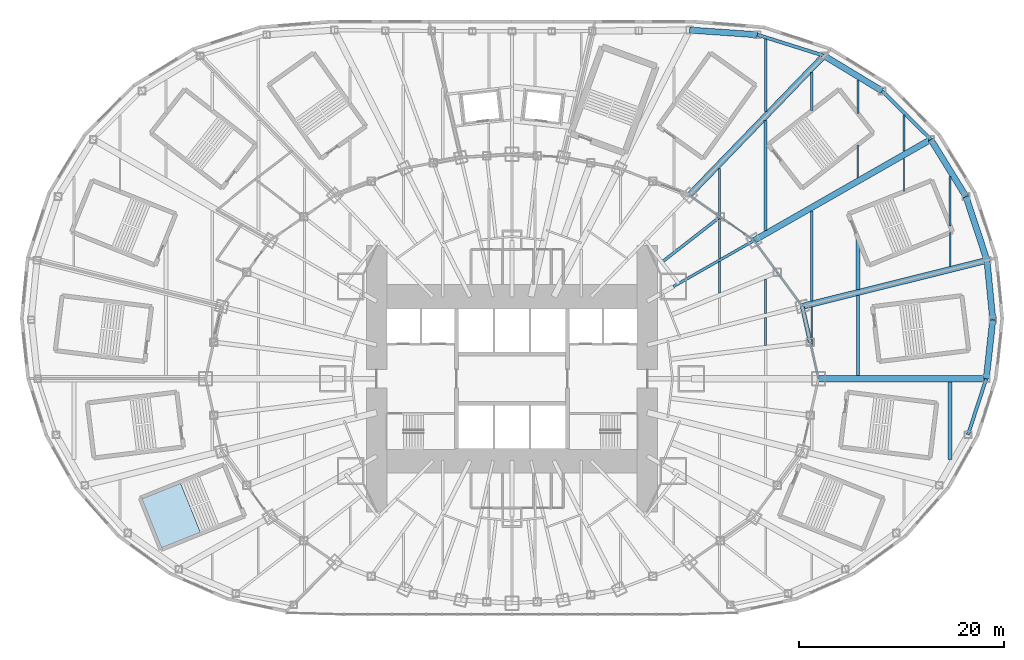
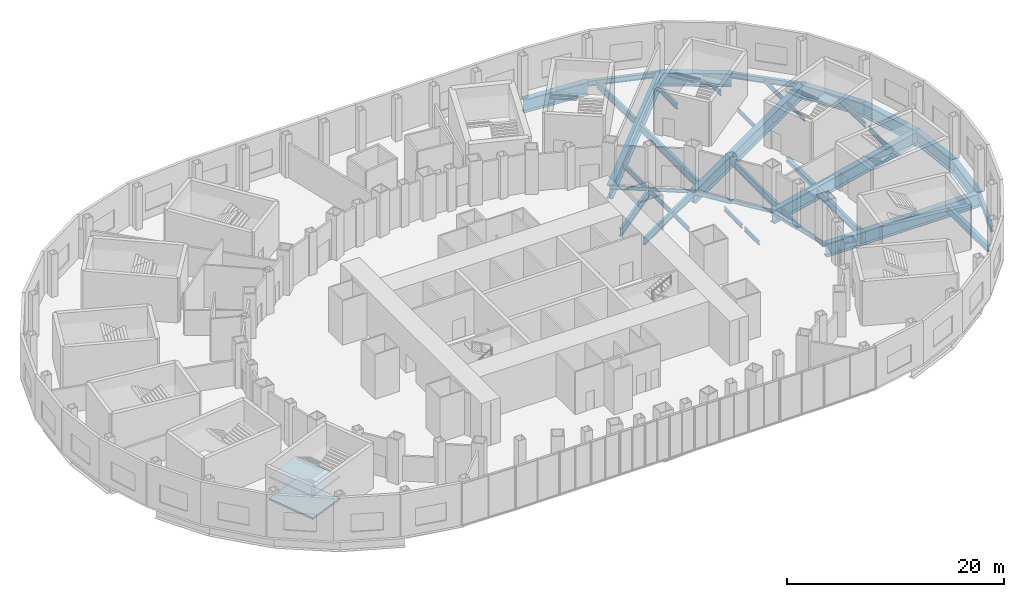
# One storey, part 10 of 73: 40 beams, 2 slabs, 1 element without a shape of its own.
"""IFC4 building model written with IfcOpenShell, lengths in metres."""

from ifc_helpers import new_model, si_unit, direction, frame, origin, origin_2d, place, context, subcontext, project, spatial, polyline, i_section, outline, extrude, material, layer, layer_set, material_profile, profile_set, type_object, element, aggregate, save


model = new_model("IFC4")

# Units and contexts
model_context = context("Model", 3, precision=1e-05, world=origin(), true_north=direction((0.0, 1.0)))
body_context = subcontext(model_context, "Body", "Model", "MODEL_VIEW")
ifc_project = project(units=[si_unit("LENGTHUNIT", "METRE"), si_unit("AREAUNIT", "SQUARE_METRE"), si_unit("VOLUMEUNIT", "CUBIC_METRE"), si_unit("PLANEANGLEUNIT", "RADIAN"), si_unit("MASSUNIT", "GRAM", prefix="KILO")], contexts=[model_context])

# Site, building, storey
site_placement = place(None, origin())
site = spatial("IfcSite", under=ifc_project, at=site_placement, CompositionType="ELEMENT")
building_placement = place(site_placement, origin())
building = spatial("IfcBuilding", under=site, at=building_placement, Name="Lantaw Convention Tower", CompositionType="ELEMENT")
storey_placement = place(building_placement, frame((0.0, 0.0, 27.0)))
storey = spatial("IfcBuildingStorey", under=building, at=storey_placement, Name="L04", CompositionType="ELEMENT", Elevation=27.0)

# Beams
ifc_material_1 = material(Name="Steel ASTM A572 Grade 50", Category="steel")
ifc_material_profile_1 = material_profile(ifc_material_1, i_section(OverallWidth=0.60009765625, OverallDepth=1.5, WebThickness=0.02490234375, FlangeThickness=0.06005859375, at=origin_2d()), Name="PG1500X600X25X60")
ifc_profile_set_1 = profile_set([ifc_material_profile_1], Name="Steel ASTM A572 Grade 50")
beam_type_1 = type_object("IfcBeamType", Name="Beam E PG1500X600X25X60", PredefinedType="SPANDREL", material=ifc_profile_set_1)
beam_1_placement = place(storey_placement, frame((46.2724609375, 0.0, -0.949951171875), z_axis=(0.109673093737, 0.993967712006, 0.0), x_axis=(-0.993967712006, 0.109673093737, 0.0)))
element("IfcBeam", 1, at=beam_1_placement, inside=storey, type_object=beam_type_1, Name="Podium edge beam R00", PredefinedType="SPANDREL", context=body_context, shape_type="SweptSolid", body=[
    extrude(i_section(OverallWidth=0.60009765625, OverallDepth=1.5, WebThickness=0.02490234375, FlangeThickness=0.06005859375, at=origin_2d()), origin(), (0.0, 0.0, 1.0), 5.79443359375),
])
beam_2_placement = place(storey_placement, frame((46.907958984375, 5.759521484375, -0.949951171875), z_axis=(-0.097112121047, 0.995273447825, 0.0), x_axis=(-0.995273447825, -0.097112121047, 0.0)))
element("IfcBeam", 2, at=beam_2_placement, inside=storey, type_object=beam_type_1, Name="Podium edge beam B00", PredefinedType="SPANDREL", context=body_context, shape_type="SweptSolid", body=[
    extrude(i_section(OverallWidth=0.60009765625, OverallDepth=1.5, WebThickness=0.02490234375, FlangeThickness=0.06005859375, at=origin_2d()), origin(), (0.0, 0.0, 1.0), 5.822509765625),
])
beam_3_placement = place(storey_placement, frame((46.342529296875, 11.554443359375, -0.949951171875), z_axis=(-0.312739573604, 0.949838912186, 0.0), x_axis=(-0.949838912186, -0.312739573604, 0.0)))
element("IfcBeam", 3, at=beam_3_placement, inside=storey, type_object=beam_type_1, Name="Podium edge beam R01", PredefinedType="SPANDREL", context=body_context, shape_type="SweptSolid", body=[
    extrude(i_section(OverallWidth=0.60009765625, OverallDepth=1.5, WebThickness=0.02490234375, FlangeThickness=0.06005859375, at=origin_2d()), origin(), (0.0, 0.0, 1.0), 6.55517578125),
])
beam_4_placement = place(storey_placement, frame((44.29248046875, 17.78076171875, -0.949951171875), z_axis=(-0.524178644867, 0.851608330317, 0.0), x_axis=(-0.851608330317, -0.524178644867, 0.0)))
element("IfcBeam", 4, at=beam_4_placement, inside=storey, type_object=beam_type_1, Name="Podium edge beam B01", PredefinedType="SPANDREL", context=body_context, shape_type="SweptSolid", body=[
    extrude(i_section(OverallWidth=0.60009765625, OverallDepth=1.5, WebThickness=0.02490234375, FlangeThickness=0.06005859375, at=origin_2d()), origin(), (0.0, 0.0, 1.0), 6.54052734375),
])
beam_5_placement = place(storey_placement, frame((36.107666015625, 28.081298828125, -0.949951171875), z_axis=(-0.855269526547, 0.518183400893, 0.0), x_axis=(-0.518183400893, -0.855269526547, 0.0)))
element("IfcBeam", 5, at=beam_5_placement, inside=storey, type_object=beam_type_1, Name="Podium edge beam B02", PredefinedType="SPANDREL", context=body_context, shape_type="SweptSolid", body=[
    extrude(i_section(OverallWidth=0.60009765625, OverallDepth=1.5, WebThickness=0.02490234375, FlangeThickness=0.06005859375, at=origin_2d()), origin(), (0.0, 0.0, 1.0), 6.63134765625),
])
beam_6_placement = place(storey_placement, frame((23.940185546875, 33.562744140625, -0.949951171875), z_axis=(-0.997615470709, 0.069017190627, 0.0), x_axis=(-0.069017190627, -0.997615470709, 0.0)))
element("IfcBeam", 6, at=beam_6_placement, inside=storey, type_object=beam_type_1, Name="Podium edge beam B03", PredefinedType="SPANDREL", context=body_context, shape_type="SweptSolid", body=[
    extrude(i_section(OverallWidth=0.60009765625, OverallDepth=1.5, WebThickness=0.02490234375, FlangeThickness=0.06005859375, at=origin_2d()), origin(), (0.0, 0.0, 1.0), 6.6220703125),
])
ifc_material_2 = material(Name="Steel ASTM A992", Category="steel")
ifc_material_profile_2 = material_profile(ifc_material_2, i_section(OverallWidth=0.40380859375, OverallDepth=0.406494140625, WebThickness=0.027099609375, FlangeThickness=0.043701171875, FilletRadius=0.01513671875, at=origin_2d()), Name="W14X233")
ifc_profile_set_2 = profile_set([ifc_material_profile_2], Name="Steel ASTM A992")
beam_type_2 = type_object("IfcBeamType", Name="Beam E W14X233", PredefinedType="SPANDREL", material=ifc_profile_set_2)
beam_7_placement = place(storey_placement, frame((29.099365234375, 3.572998046875, -0.4033203125), z_axis=(-0.218673326171, 0.97579812278, 0.0), x_axis=(-0.97579812278, -0.218673326171, 0.0)))
element("IfcBeam", 7, at=beam_7_placement, inside=storey, type_object=beam_type_2, Name="Edge beam 1", PredefinedType="SPANDREL", context=body_context, shape_type="SweptSolid", body=[
    extrude(i_section(OverallWidth=0.40380859375, OverallDepth=0.406494140625, WebThickness=0.027099609375, FlangeThickness=0.043701171875, FilletRadius=0.01513671875, at=origin_2d()), origin(), (0.0, 0.0, 1.0), 3.57373046875),
])
ifc_material_profile_3 = material_profile(ifc_material_2, i_section(OverallWidth=0.140380859375, OverallDepth=0.40380859375, WebThickness=0.007080078125, FlangeThickness=0.01123046875, FilletRadius=0.01025390625, at=origin_2d()), Name="W16X31")
ifc_profile_set_3 = profile_set([ifc_material_profile_3], Name="Steel ASTM A992")
beam_type_3 = type_object("IfcBeamType", Name="Beam E W16X31", PredefinedType="SPANDREL", material=ifc_profile_set_3)
beam_8_placement = place(storey_placement, frame((28.31787109375, 7.060302734375, -0.40185546875), z_axis=(-0.591255937291, 0.806483984105, 0.0), x_axis=(-0.806483984105, -0.591255937291, 0.0)))
element("IfcBeam", 8, at=beam_8_placement, inside=storey, type_object=beam_type_3, Name="Edge beam 2", PredefinedType="SPANDREL", context=body_context, shape_type="SweptSolid", body=[
    extrude(i_section(OverallWidth=0.140380859375, OverallDepth=0.40380859375, WebThickness=0.007080078125, FlangeThickness=0.01123046875, FilletRadius=0.01025390625, at=origin_2d()), origin(), (0.0, 0.0, 1.0), 4.126708984375),
])
beam_9_placement = place(storey_placement, frame((23.60498046875, 13.488525390625, -0.40185546875), z_axis=(-0.819442856133, 0.573160889744, 0.0), x_axis=(-0.573160889744, -0.819442856133, 0.0)))
element("IfcBeam", 9, at=beam_9_placement, inside=storey, type_object=beam_type_3, Name="Edge beam 3", PredefinedType="SPANDREL", context=body_context, shape_type="SweptSolid", body=[
    extrude(i_section(OverallWidth=0.140380859375, OverallDepth=0.40380859375, WebThickness=0.007080078125, FlangeThickness=0.01123046875, FilletRadius=0.01025390625, at=origin_2d()), origin(), (0.0, 0.0, 1.0), 4.022705078125),
])
beam_10_placement = place(storey_placement, frame((20.30859375, 15.794189453125, -0.40185546875), z_axis=(-0.819409395821, 0.573208724672, 0.0), x_axis=(-0.573208724672, -0.819409395821, 0.0)))
element("IfcBeam", 10, at=beam_10_placement, inside=storey, type_object=beam_type_3, Name="Edge beam 3", PredefinedType="SPANDREL", context=body_context, shape_type="SweptSolid", body=[
    extrude(i_section(OverallWidth=0.140380859375, OverallDepth=0.40380859375, WebThickness=0.007080078125, FlangeThickness=0.01123046875, FilletRadius=0.01025390625, at=origin_2d()), origin(), (0.0, 0.0, 1.0), 3.682861328125),
])
ifc_material_profile_4 = material_profile(ifc_material_2, i_section(OverallWidth=0.15234375, OverallDepth=0.449462890625, WebThickness=0.007568359375, FlangeThickness=0.0107421875, FilletRadius=0.01025390625, at=origin_2d()), Name="W18X35")
ifc_profile_set_4 = profile_set([ifc_material_profile_4], Name="Steel ASTM A992")
beam_type_4 = type_object("IfcBeamType", Name="Beam E W18X35", PredefinedType="SPANDREL", material=ifc_profile_set_4)
beam_11_placement = place(storey_placement, frame((29.89990234375, 0.0, -0.4248046875), z_axis=(-0.218631550323, 0.975807483679, 0.0), x_axis=(-0.975807483679, -0.218631550323, 0.0)))
element("IfcBeam", 11, at=beam_11_placement, inside=storey, type_object=beam_type_4, Name="Edge beam 1", PredefinedType="SPANDREL", context=body_context, shape_type="SweptSolid", body=[
    extrude(i_section(OverallWidth=0.15234375, OverallDepth=0.449462890625, WebThickness=0.007568359375, FlangeThickness=0.0107421875, FilletRadius=0.01025390625, at=origin_2d()), origin(), (0.0, 0.0, 1.0), 3.66162109375),
])
ifc_material_profile_5 = material_profile(ifc_material_2, i_section(OverallWidth=0.1650390625, OverallDepth=0.52587890625, WebThickness=0.0087890625, FlangeThickness=0.011474609375, FilletRadius=0.0126953125, at=origin_2d()), Name="W21X44")
ifc_profile_set_5 = profile_set([ifc_material_profile_5], Name="Steel ASTM A992")
beam_type_5 = type_object("IfcBeamType", Name="Beam E W21X44", PredefinedType="SPANDREL", material=ifc_profile_set_5)
beam_12_placement = place(storey_placement, frame((25.8779296875, 10.388427734375, -0.462890625), z_axis=(-0.591286566758, 0.806461527893, 0.0), x_axis=(-0.806461527893, -0.591286566758, 0.0)))
element("IfcBeam", 12, at=beam_12_placement, inside=storey, type_object=beam_type_5, Name="Edge beam 2", PredefinedType="SPANDREL", context=body_context, shape_type="SweptSolid", body=[
    extrude(i_section(OverallWidth=0.1650390625, OverallDepth=0.52587890625, WebThickness=0.0087890625, FlangeThickness=0.011474609375, FilletRadius=0.0126953125, at=origin_2d()), origin(), (0.0, 0.0, 1.0), 3.843994140625),
])
ifc_material_profile_6 = material_profile(ifc_material_2, i_section(OverallWidth=0.3251953125, OverallDepth=0.612060546875, WebThickness=0.0126953125, FlangeThickness=0.01904296875, FilletRadius=0.0126953125, at=origin_2d()), Name="W24X104")
ifc_profile_set_6 = profile_set([ifc_material_profile_6], Name="Steel ASTM A992")
beam_type_6 = type_object("IfcBeamType", Name="Beam E W24X104", PredefinedType="SPANDREL", material=ifc_profile_set_6)
beam_13_placement = place(storey_placement, frame((40.864013671875, 23.350830078125, -0.506103515625), z_axis=(-0.709033046271, 0.705175254314, 0.0), x_axis=(-0.705175254314, -0.709033046271, 0.0)))
element("IfcBeam", 13, at=beam_13_placement, inside=storey, type_object=beam_type_6, Name="Podium edge beam R02", PredefinedType="SPANDREL", context=body_context, shape_type="SweptSolid", body=[
    extrude(i_section(OverallWidth=0.3251953125, OverallDepth=0.612060546875, WebThickness=0.0126953125, FlangeThickness=0.01904296875, FilletRadius=0.0126953125, at=origin_2d()), origin(), (0.0, 0.0, 1.0), 6.708251953125),
])
beam_14_placement = place(storey_placement, frame((30.43603515625, 31.517578125, -0.506103515625), z_axis=(-0.953841834513, 0.300309431643, 0.0), x_axis=(-0.300309431643, -0.953841834513, 0.0)))
element("IfcBeam", 14, at=beam_14_placement, inside=storey, type_object=beam_type_6, Name="Podium edge beam R03", PredefinedType="SPANDREL", context=body_context, shape_type="SweptSolid", body=[
    extrude(i_section(OverallWidth=0.3251953125, OverallDepth=0.612060546875, WebThickness=0.0126953125, FlangeThickness=0.01904296875, FilletRadius=0.0126953125, at=origin_2d()), origin(), (0.0, 0.0, 1.0), 6.810302734375),
])
beam_15_placement = place(storey_placement, frame((44.488525390625, -5.46240234375, -0.506103515625), z_axis=(0.310448009473, 0.950590360468, 0.0), x_axis=(-0.950590360468, 0.310448009473, 0.0)))
element("IfcBeam", 15, at=beam_15_placement, inside=storey, type_object=beam_type_6, Name="Podium edge beam B23", PredefinedType="SPANDREL", context=body_context, shape_type="SweptSolid", body=[
    extrude(i_section(OverallWidth=0.3251953125, OverallDepth=0.612060546875, WebThickness=0.0126953125, FlangeThickness=0.01904296875, FilletRadius=0.0126953125, at=origin_2d()), origin(), (0.0, 0.0, 1.0), 5.746337890625),
])
ifc_material_profile_7 = material_profile(ifc_material_2, i_section(OverallWidth=0.2666015625, OverallDepth=0.76953125, WebThickness=0.015625, FlangeThickness=0.025390625, FilletRadius=0.0126953125, at=origin_2d()), Name="W30X132")
ifc_profile_set_7 = profile_set([ifc_material_profile_7], Name="Steel ASTM A992")
beam_type_7 = type_object("IfcBeamType", Name="Beam G W30X132", PredefinedType="BEAM", material=ifc_profile_set_7)
beam_16_placement = place(storey_placement, frame((15.75, 9.0, -0.584716796875), z_axis=(0.868244802791, 0.496136032179, 0.0), x_axis=(-0.496136032179, 0.868244802791, 0.0)))
element("IfcBeam", 16, at=beam_16_placement, inside=storey, type_object=beam_type_7, Name="Floor girder on ray 3", PredefinedType="BEAM", context=body_context, shape_type="SweptSolid", body=[
    extrude(i_section(OverallWidth=0.2666015625, OverallDepth=0.76953125, WebThickness=0.015625, FlangeThickness=0.025390625, FilletRadius=0.0126953125, at=origin_2d()), origin(), (0.0, 0.0, 1.0), 9.046875),
])
ifc_material_profile_8 = material_profile(ifc_material_2, i_section(OverallWidth=0.2919921875, OverallDepth=0.845703125, WebThickness=0.015380859375, FlangeThickness=0.0244140625, FilletRadius=0.01513671875, at=origin_2d()), Name="W33X141")
ifc_profile_set_8 = profile_set([ifc_material_profile_8], Name="Steel ASTM A992")
beam_type_8 = type_object("IfcBeamType", Name="Beam G W33X141", PredefinedType="BEAM", material=ifc_profile_set_8)
beam_17_placement = place(storey_placement, frame((14.628173828125, 11.37646484375, -0.622802734375), z_axis=(0.789377792374, 0.613907729961, 0.0), x_axis=(-0.613907729961, 0.789377792374, 0.0)))
element("IfcBeam", 17, at=beam_17_placement, inside=storey, type_object=beam_type_8, Name="Floor girder on bisector 3", PredefinedType="BEAM", context=body_context, shape_type="SweptSolid", body=[
    extrude(i_section(OverallWidth=0.2919921875, OverallDepth=0.845703125, WebThickness=0.015380859375, FlangeThickness=0.0244140625, FilletRadius=0.01513671875, at=origin_2d()), origin(), (0.0, 0.0, 1.0), 7.196044921875),
])
ifc_material_profile_9 = material_profile(ifc_material_2, i_section(OverallWidth=0.40380859375, OverallDepth=0.406494140625, WebThickness=0.027099609375, FlangeThickness=0.043701171875, FilletRadius=0.01513671875, at=origin_2d()), Name="W14X233")
ifc_profile_set_9 = profile_set([ifc_material_profile_9], Name="Steel ASTM A992")
beam_type_9 = type_object("IfcBeamType", Name="Beam J W14X233", PredefinedType="JOIST", material=ifc_profile_set_9)
beam_18_placement = place(storey_placement, frame((33.75, 8.72412109375, -0.4033203125), z_axis=(0.0, 1.0, 0.0), x_axis=(-1.0, 0.0, 0.0)))
element("IfcBeam", 18, at=beam_18_placement, inside=storey, type_object=beam_type_9, Name="Floor joist", PredefinedType="JOIST", context=body_context, shape_type="SweptSolid", body=[
    extrude(i_section(OverallWidth=0.40380859375, OverallDepth=0.406494140625, WebThickness=0.027099609375, FlangeThickness=0.043701171875, FilletRadius=0.01513671875, at=origin_2d()), origin(), (0.0, 0.0, 1.0), 4.986328125),
])
ifc_material_profile_10 = material_profile(ifc_material_2, i_section(OverallWidth=0.140380859375, OverallDepth=0.40380859375, WebThickness=0.007080078125, FlangeThickness=0.01123046875, FilletRadius=0.01025390625, at=origin_2d()), Name="W16X31")
ifc_profile_set_10 = profile_set([ifc_material_profile_10], Name="Steel ASTM A992")
beam_type_10 = type_object("IfcBeamType", Name="Beam J W16X31", PredefinedType="JOIST", material=ifc_profile_set_10)
beam_19_placement = place(storey_placement, frame((38.25, 18.264404296875, -0.40185546875), z_axis=(0.0, 1.0, 0.0), x_axis=(-1.0, 0.0, 0.0)))
element("IfcBeam", 19, at=beam_19_placement, inside=storey, type_object=beam_type_10, Name="Floor joist", PredefinedType="JOIST", context=body_context, shape_type="SweptSolid", body=[
    extrude(i_section(OverallWidth=0.140380859375, OverallDepth=0.40380859375, WebThickness=0.007080078125, FlangeThickness=0.01123046875, FilletRadius=0.01025390625, at=origin_2d()), origin(), (0.0, 0.0, 1.0), 3.247314453125),
])
ifc_material_profile_11 = material_profile(ifc_material_2, i_section(OverallWidth=0.15234375, OverallDepth=0.449462890625, WebThickness=0.007568359375, FlangeThickness=0.0107421875, FilletRadius=0.01025390625, at=origin_2d()), Name="W18X35")
ifc_profile_set_11 = profile_set([ifc_material_profile_11], Name="Steel ASTM A992")
beam_type_11 = type_object("IfcBeamType", Name="Beam J W18X35", PredefinedType="JOIST", material=ifc_profile_set_11)
beam_20_placement = place(storey_placement, frame((33.75, 19.63134765625, -0.4248046875), z_axis=(0.0, 1.0, 0.0), x_axis=(-1.0, 0.0, 0.0)))
element("IfcBeam", 20, at=beam_20_placement, inside=storey, type_object=beam_type_11, Name="Floor joist", PredefinedType="JOIST", context=body_context, shape_type="SweptSolid", body=[
    extrude(i_section(OverallWidth=0.15234375, OverallDepth=0.449462890625, WebThickness=0.007568359375, FlangeThickness=0.0107421875, FilletRadius=0.01025390625, at=origin_2d()), origin(), (0.0, 0.0, 1.0), 3.19580078125),
])
ifc_material_profile_12 = material_profile(ifc_material_2, i_section(OverallWidth=0.1904296875, OverallDepth=0.457275390625, WebThickness=0.009033203125, FlangeThickness=0.014404296875, FilletRadius=0.01025390625, at=origin_2d()), Name="W18X50")
ifc_profile_set_12 = profile_set([ifc_material_profile_12], Name="Steel ASTM A992")
beam_type_12 = type_object("IfcBeamType", Name="Beam J W18X50", PredefinedType="JOIST", material=ifc_profile_set_12)
beam_21_placement = place(storey_placement, frame((24.75, 3.251220703125, -0.4287109375), z_axis=(0.0, 1.0, 0.0), x_axis=(-1.0, 0.0, 0.0)))
element("IfcBeam", 21, at=beam_21_placement, inside=storey, type_object=beam_type_12, Name="Floor joist", PredefinedType="JOIST", context=body_context, shape_type="SweptSolid", body=[
    extrude(i_section(OverallWidth=0.1904296875, OverallDepth=0.457275390625, WebThickness=0.009033203125, FlangeThickness=0.014404296875, FilletRadius=0.01025390625, at=origin_2d()), origin(), (0.0, 0.0, 1.0), 2.71142578125),
])
beam_22_placement = place(storey_placement, frame((24.75, 6.37890625, -0.4287109375), z_axis=(0.0, 1.0, 0.0), x_axis=(-1.0, 0.0, 0.0)))
element("IfcBeam", 22, at=beam_22_placement, inside=storey, type_object=beam_type_12, Name="Floor joist", PredefinedType="JOIST", context=body_context, shape_type="SweptSolid", body=[
    extrude(i_section(OverallWidth=0.1904296875, OverallDepth=0.457275390625, WebThickness=0.009033203125, FlangeThickness=0.014404296875, FilletRadius=0.01025390625, at=origin_2d()), origin(), (0.0, 0.0, 1.0), 3.32958984375),
])
ifc_material_profile_13 = material_profile(ifc_material_2, i_section(OverallWidth=0.1650390625, OverallDepth=0.52587890625, WebThickness=0.0087890625, FlangeThickness=0.011474609375, FilletRadius=0.0126953125, at=origin_2d()), Name="W21X44")
ifc_profile_set_13 = profile_set([ifc_material_profile_13], Name="Steel ASTM A992")
beam_type_13 = type_object("IfcBeamType", Name="Beam J W21X44", PredefinedType="JOIST", material=ifc_profile_set_13)
beam_23_placement = place(storey_placement, frame((20.25, 8.3564453125, -0.462890625), z_axis=(0.0, 1.0, 0.0), x_axis=(-1.0, 0.0, 0.0)))
element("IfcBeam", 23, at=beam_23_placement, inside=storey, type_object=beam_type_13, Name="Floor joist", PredefinedType="JOIST", context=body_context, shape_type="SweptSolid", body=[
    extrude(i_section(OverallWidth=0.1650390625, OverallDepth=0.52587890625, WebThickness=0.0087890625, FlangeThickness=0.011474609375, FilletRadius=0.0126953125, at=origin_2d()), origin(), (0.0, 0.0, 1.0), 3.0615234375),
])
beam_24_placement = place(storey_placement, frame((29.25, 3.2490234375, -0.462890625), z_axis=(0.0, 1.0, 0.0), x_axis=(-1.0, 0.0, 0.0)))
element("IfcBeam", 24, at=beam_24_placement, inside=storey, type_object=beam_type_13, Name="Floor joist", PredefinedType="JOIST", context=body_context, shape_type="SweptSolid", body=[
    extrude(i_section(OverallWidth=0.1650390625, OverallDepth=0.52587890625, WebThickness=0.0087890625, FlangeThickness=0.011474609375, FilletRadius=0.0126953125, at=origin_2d()), origin(), (0.0, 0.0, 1.0), 3.734619140625),
])
beam_25_placement = place(storey_placement, frame((33.75, 25.900390625, -0.462890625), z_axis=(0.0, 1.0, 0.0), x_axis=(-1.0, 0.0, 0.0)))
element("IfcBeam", 25, at=beam_25_placement, inside=storey, type_object=beam_type_13, Name="Floor joist", PredefinedType="JOIST", context=body_context, shape_type="SweptSolid", body=[
    extrude(i_section(OverallWidth=0.1650390625, OverallDepth=0.52587890625, WebThickness=0.0087890625, FlangeThickness=0.011474609375, FilletRadius=0.0126953125, at=origin_2d()), origin(), (0.0, 0.0, 1.0), 3.258544921875),
])
beam_26_placement = place(storey_placement, frame((38.25, 22.20263671875, -0.462890625), z_axis=(0.0, 1.0, 0.0), x_axis=(-1.0, 0.0, 0.0)))
element("IfcBeam", 26, at=beam_26_placement, inside=storey, type_object=beam_type_13, Name="Floor joist", PredefinedType="JOIST", context=body_context, shape_type="SweptSolid", body=[
    extrude(i_section(OverallWidth=0.1650390625, OverallDepth=0.52587890625, WebThickness=0.0087890625, FlangeThickness=0.011474609375, FilletRadius=0.0126953125, at=origin_2d()), origin(), (0.0, 0.0, 1.0), 3.518798828125),
])
beam_27_placement = place(storey_placement, frame((42.75, 10.968017578125, -0.462890625), z_axis=(0.0, 1.0, 0.0), x_axis=(-1.0, 0.0, 0.0)))
element("IfcBeam", 27, at=beam_27_placement, inside=storey, type_object=beam_type_13, Name="Floor joist", PredefinedType="JOIST", context=body_context, shape_type="SweptSolid", body=[
    extrude(i_section(OverallWidth=0.1650390625, OverallDepth=0.52587890625, WebThickness=0.0087890625, FlangeThickness=0.011474609375, FilletRadius=0.0126953125, at=origin_2d()), origin(), (0.0, 0.0, 1.0), 3.2841796875),
])
ifc_material_profile_14 = material_profile(ifc_material_2, i_section(OverallWidth=0.16650390625, OverallDepth=0.535888671875, WebThickness=0.01025390625, FlangeThickness=0.0166015625, FilletRadius=0.0126953125, at=origin_2d()), Name="W21X57")
ifc_profile_set_14 = profile_set([ifc_material_profile_14], Name="Steel ASTM A992")
beam_type_14 = type_object("IfcBeamType", Name="Beam J W21X57", PredefinedType="JOIST", material=ifc_profile_set_14)
beam_28_placement = place(storey_placement, frame((20.25, 11.72509765625, -0.468017578125), z_axis=(0.0, 1.0, 0.0), x_axis=(-1.0, 0.0, 0.0)))
element("IfcBeam", 28, at=beam_28_placement, inside=storey, type_object=beam_type_14, Name="Floor joist", PredefinedType="JOIST", context=body_context, shape_type="SweptSolid", body=[
    extrude(i_section(OverallWidth=0.16650390625, OverallDepth=0.535888671875, WebThickness=0.01025390625, FlangeThickness=0.0166015625, FilletRadius=0.0126953125, at=origin_2d()), origin(), (0.0, 0.0, 1.0), 3.83837890625),
])
ifc_material_profile_15 = material_profile(ifc_material_2, i_section(OverallWidth=0.177978515625, OverallDepth=0.599365234375, WebThickness=0.010009765625, FlangeThickness=0.012939453125, FilletRadius=0.012939453125, at=origin_2d()), Name="W24X55")
ifc_profile_set_15 = profile_set([ifc_material_profile_15], Name="Steel ASTM A992")
beam_type_15 = type_object("IfcBeamType", Name="Beam J W24X55", PredefinedType="JOIST", material=ifc_profile_set_15)
beam_29_placement = place(storey_placement, frame((42.75, 14.91259765625, -0.499755859375), z_axis=(0.0, 1.0, 0.0), x_axis=(-1.0, 0.0, 0.0)))
element("IfcBeam", 29, at=beam_29_placement, inside=storey, type_object=beam_type_15, Name="Floor joist", PredefinedType="JOIST", context=body_context, shape_type="SweptSolid", body=[
    extrude(i_section(OverallWidth=0.177978515625, OverallDepth=0.599365234375, WebThickness=0.010009765625, FlangeThickness=0.012939453125, FilletRadius=0.012939453125, at=origin_2d()), origin(), (0.0, 0.0, 1.0), 4.8017578125),
])
ifc_material_profile_16 = material_profile(ifc_material_2, i_section(OverallWidth=0.22900390625, OverallDepth=0.612060546875, WebThickness=0.011962890625, FlangeThickness=0.01953125, FilletRadius=0.0126953125, at=origin_2d()), Name="W24X84")
ifc_profile_set_16 = profile_set([ifc_material_profile_16], Name="Steel ASTM A992")
beam_type_16 = type_object("IfcBeamType", Name="Beam J W24X84", PredefinedType="JOIST", material=ifc_profile_set_16)
beam_30_placement = place(storey_placement, frame((20.25, 15.9208984375, -0.506103515625), z_axis=(0.0, 1.0, 0.0), x_axis=(-1.0, 0.0, 0.0)))
element("IfcBeam", 30, at=beam_30_placement, inside=storey, type_object=beam_type_16, Name="Floor joist", PredefinedType="JOIST", context=body_context, shape_type="SweptSolid", body=[
    extrude(i_section(OverallWidth=0.22900390625, OverallDepth=0.612060546875, WebThickness=0.011962890625, FlangeThickness=0.01953125, FilletRadius=0.0126953125, at=origin_2d()), origin(), (0.0, 0.0, 1.0), 4.61669921875),
])
beam_31_placement = place(storey_placement, frame((29.25, 26.16845703125, -0.506103515625), z_axis=(0.0, 1.0, 0.0), x_axis=(-1.0, 0.0, 0.0)))
element("IfcBeam", 31, at=beam_31_placement, inside=storey, type_object=beam_type_16, Name="Floor joist", PredefinedType="JOIST", context=body_context, shape_type="SweptSolid", body=[
    extrude(i_section(OverallWidth=0.22900390625, OverallDepth=0.612060546875, WebThickness=0.011962890625, FlangeThickness=0.01953125, FilletRadius=0.0126953125, at=origin_2d()), origin(), (0.0, 0.0, 1.0), 3.68896484375),
])
ifc_material_profile_17 = material_profile(ifc_material_2, i_section(OverallWidth=0.2666015625, OverallDepth=0.7568359375, WebThickness=0.013916015625, FlangeThickness=0.019287109375, FilletRadius=0.0126953125, at=origin_2d()), Name="W30X108")
ifc_profile_set_17 = profile_set([ifc_material_profile_17], Name="Steel ASTM A992")
beam_type_17 = type_object("IfcBeamType", Name="Beam J W30X108", PredefinedType="JOIST", material=ifc_profile_set_17)
beam_32_placement = place(storey_placement, frame((24.75, 26.061279296875, -0.578369140625), z_axis=(0.0, 1.0, 0.0), x_axis=(-1.0, 0.0, 0.0)))
element("IfcBeam", 32, at=beam_32_placement, inside=storey, type_object=beam_type_17, Name="Floor joist", PredefinedType="JOIST", context=body_context, shape_type="SweptSolid", body=[
    extrude(i_section(OverallWidth=0.2666015625, OverallDepth=0.7568359375, WebThickness=0.013916015625, FlangeThickness=0.019287109375, FilletRadius=0.0126953125, at=origin_2d()), origin(), (0.0, 0.0, 1.0), 7.076171875),
])
beam_33_placement = place(storey_placement, frame((29.25, 7.60205078125, -0.578369140625), z_axis=(0.0, 1.0, 0.0), x_axis=(-1.0, 0.0, 0.0)))
element("IfcBeam", 33, at=beam_33_placement, inside=storey, type_object=beam_type_17, Name="Floor joist", PredefinedType="JOIST", context=body_context, shape_type="SweptSolid", body=[
    extrude(i_section(OverallWidth=0.2666015625, OverallDepth=0.7568359375, WebThickness=0.013916015625, FlangeThickness=0.019287109375, FilletRadius=0.0126953125, at=origin_2d()), origin(), (0.0, 0.0, 1.0), 8.7666015625),
])
ifc_material_profile_18 = material_profile(ifc_material_2, i_section(OverallWidth=0.381103515625, OverallDepth=0.772216796875, WebThickness=0.0166015625, FlangeThickness=0.027099609375, FilletRadius=0.0146484375, at=origin_2d()), Name="W30X173")
ifc_profile_set_18 = profile_set([ifc_material_profile_18], Name="Steel ASTM A992")
beam_type_18 = type_object("IfcBeamType", Name="Beam J W30X173", PredefinedType="JOIST", material=ifc_profile_set_18)
beam_34_placement = place(storey_placement, frame((42.75, -7.89990234375, -0.586181640625), z_axis=(0.0, 1.0, 0.0), x_axis=(-1.0, 0.0, 0.0)))
element("IfcBeam", 34, at=beam_34_placement, inside=storey, type_object=beam_type_18, Name="Floor joist", PredefinedType="JOIST", context=body_context, shape_type="SweptSolid", body=[
    extrude(i_section(OverallWidth=0.381103515625, OverallDepth=0.772216796875, WebThickness=0.0166015625, FlangeThickness=0.027099609375, FilletRadius=0.0146484375, at=origin_2d()), origin(), (0.0, 0.0, 1.0), 7.599853515625),
])
ifc_material_profile_19 = material_profile(ifc_material_2, i_section(OverallWidth=0.2919921875, OverallDepth=0.845703125, WebThickness=0.015380859375, FlangeThickness=0.0244140625, FilletRadius=0.01513671875, at=origin_2d()), Name="W33X141")
ifc_profile_set_19 = profile_set([ifc_material_profile_19], Name="Steel ASTM A992")
beam_type_19 = type_object("IfcBeamType", Name="Beam J W33X141", PredefinedType="JOIST", material=ifc_profile_set_19)
beam_35_placement = place(storey_placement, frame((24.75, 14.48828125, -0.622802734375), z_axis=(0.0, 1.0, 0.0), x_axis=(-1.0, 0.0, 0.0)))
element("IfcBeam", 35, at=beam_35_placement, inside=storey, type_object=beam_type_19, Name="Floor joist", PredefinedType="JOIST", context=body_context, shape_type="SweptSolid", body=[
    extrude(i_section(OverallWidth=0.2919921875, OverallDepth=0.845703125, WebThickness=0.015380859375, FlangeThickness=0.0244140625, FilletRadius=0.01513671875, at=origin_2d()), origin(), (0.0, 0.0, 1.0), 10.709228515625),
])
beam_36_placement = place(storey_placement, frame((33.75, 0.300048828125, -0.622802734375), z_axis=(0.0, 1.0, 0.0), x_axis=(-1.0, 0.0, 0.0)))
element("IfcBeam", 36, at=beam_36_placement, inside=storey, type_object=beam_type_19, Name="Floor joist", PredefinedType="JOIST", context=body_context, shape_type="SweptSolid", body=[
    extrude(i_section(OverallWidth=0.2919921875, OverallDepth=0.845703125, WebThickness=0.015380859375, FlangeThickness=0.0244140625, FilletRadius=0.01513671875, at=origin_2d()), origin(), (0.0, 0.0, 1.0), 7.8056640625),
])
ifc_material_profile_20 = material_profile(ifc_material_1, i_section(OverallWidth=0.60009765625, OverallDepth=1.5, WebThickness=0.02490234375, FlangeThickness=0.06005859375, at=origin_2d()), Name="PG1500X600X25X60")
ifc_profile_set_20 = profile_set([ifc_material_profile_20], Name="Steel ASTM A572 Grade 50")
beam_type_20 = type_object("IfcBeamType", Name="Beam PG PG1500X600X25X60", PredefinedType="BEAM", material=ifc_profile_set_20)
beam_37_placement = place(storey_placement, frame((29.89990234375, 0.0, -0.949951171875), z_axis=(1.0, 0.0, 0.0), x_axis=(0.0, 1.0, 0.0)))
element("IfcBeam", 37, at=beam_37_placement, inside=storey, type_object=beam_type_20, Name="Podium girder PR01", PredefinedType="BEAM", context=body_context, shape_type="SweptSolid", body=[
    extrude(i_section(OverallWidth=0.60009765625, OverallDepth=1.5, WebThickness=0.02490234375, FlangeThickness=0.06005859375, at=origin_2d()), origin(), (0.0, 0.0, 1.0), 16.37255859375),
])
beam_38_placement = place(storey_placement, frame((28.31787109375, 7.060302734375, -0.949951171875), z_axis=(0.970294606785, 0.24192638559, 0.0), x_axis=(-0.24192638559, 0.970294606785, 0.0)))
element("IfcBeam", 38, at=beam_38_placement, inside=storey, type_object=beam_type_20, Name="Podium girder PR02", PredefinedType="BEAM", context=body_context, shape_type="SweptSolid", body=[
    extrude(i_section(OverallWidth=0.60009765625, OverallDepth=1.5, WebThickness=0.02490234375, FlangeThickness=0.06005859375, at=origin_2d()), origin(), (0.0, 0.0, 1.0), 18.576416015625),
])
beam_39_placement = place(storey_placement, frame((23.60498046875, 13.488525390625, -0.949951171875), z_axis=(0.868243142124, 0.496138938357, 0.0), x_axis=(-0.496138938357, 0.868243142124, 0.0)))
element("IfcBeam", 39, at=beam_39_placement, inside=storey, type_object=beam_type_20, Name="Podium girder PR03", PredefinedType="BEAM", context=body_context, shape_type="SweptSolid", body=[
    extrude(i_section(OverallWidth=0.60009765625, OverallDepth=1.5, WebThickness=0.02490234375, FlangeThickness=0.06005859375, at=origin_2d()), origin(), (0.0, 0.0, 1.0), 19.878173828125),
])
beam_40_placement = place(storey_placement, frame((17.290771484375, 17.9052734375, -0.949951171875), z_axis=(0.694658748795, 0.719339434984, 0.0), x_axis=(-0.719339434984, 0.694658748795, 0.0)))
element("IfcBeam", 40, at=beam_40_placement, inside=storey, type_object=beam_type_20, Name="Podium girder PR04", PredefinedType="BEAM", context=body_context, shape_type="SweptSolid", body=[
    extrude(i_section(OverallWidth=0.60009765625, OverallDepth=1.5, WebThickness=0.02490234375, FlangeThickness=0.06005859375, at=origin_2d()), origin(), (0.0, 0.0, 1.0), 18.92333984375),
])

# Stair, slabs
ifc_material_3 = material(Name="Concrete C35/45", Category="concrete")
stair_type = type_object("IfcStairType", Name="Exit stair 2400 riser 156.25 in 4 flights", PredefinedType="HALF_TURN_STAIR", material=ifc_material_3)
stair_placement = place(storey_placement, origin())
stair = element("IfcStair", 41, at=stair_placement, inside=storey, type_object=stair_type, Name="Podium exit stair P11 L04", PredefinedType="HALF_TURN_STAIR")
ifc_layer = layer(ifc_material_3, 0.199951171875)
ifc_layer_set = layer_set([ifc_layer], Name="Stair landing 200")
slab_type = type_object("IfcSlabType", Name="Stair landing 200", PredefinedType="LANDING", material=ifc_layer_set)
slab_1_placement = place(storey_placement, frame((0.0, 0.0, 1.050048828125)))
slab_1 = element("IfcSlab", 42, at=slab_1_placement, type_object=slab_type, Name="P11 landing 2", PredefinedType="LANDING", context=body_context, shape_type="SweptSolid", body=[
    extrude(outline(polyline([(-32.330322265625, -10.198486328125), (-36.109130859375, -11.715576171875), (-34.186767578125, -16.504150390625), (-30.407958984375, -14.987060546875), (-32.330322265625, -10.198486328125)])), origin(), (0.0, 0.0, 1.0), 0.199951171875),
])
slab_2_placement = place(storey_placement, frame((0.0, 0.0, 3.550048828125)))
slab_2 = element("IfcSlab", 43, at=slab_2_placement, type_object=slab_type, Name="P11 landing 4", PredefinedType="LANDING", context=body_context, shape_type="SweptSolid", body=[
    extrude(outline(polyline([(-32.330322265625, -10.198486328125), (-36.109130859375, -11.715576171875), (-34.186767578125, -16.504150390625), (-30.407958984375, -14.987060546875), (-32.330322265625, -10.198486328125)])), origin(), (0.0, 0.0, 1.0), 0.199951171875),
])
aggregate(stair, [slab_1, slab_2])

save(model, "model.ifc")
